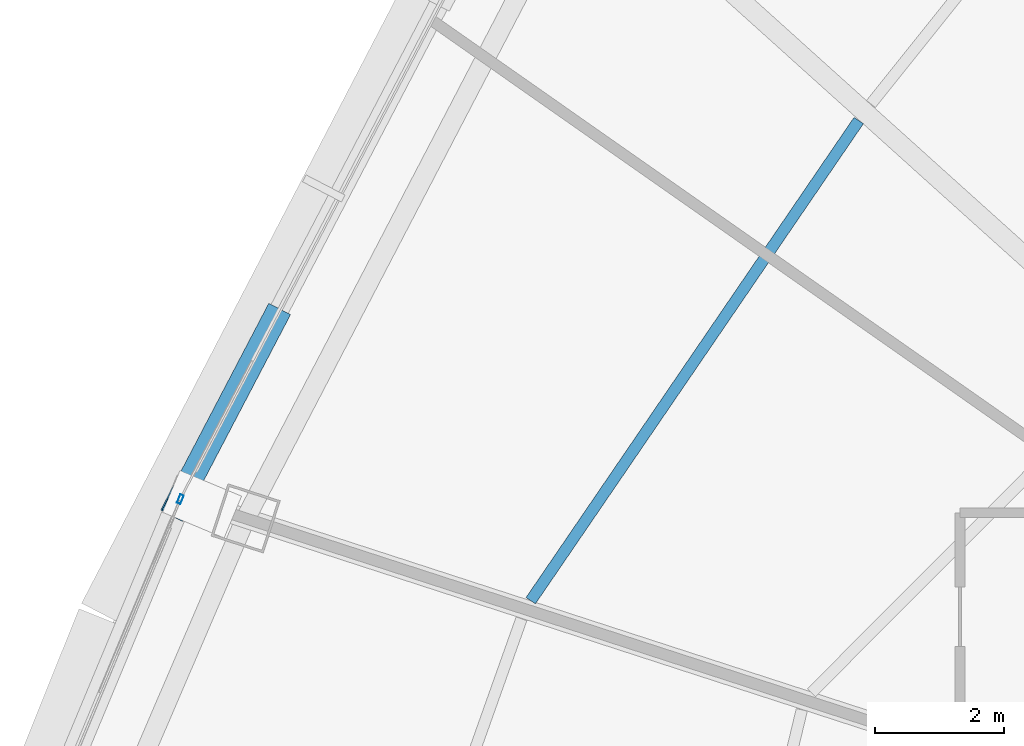
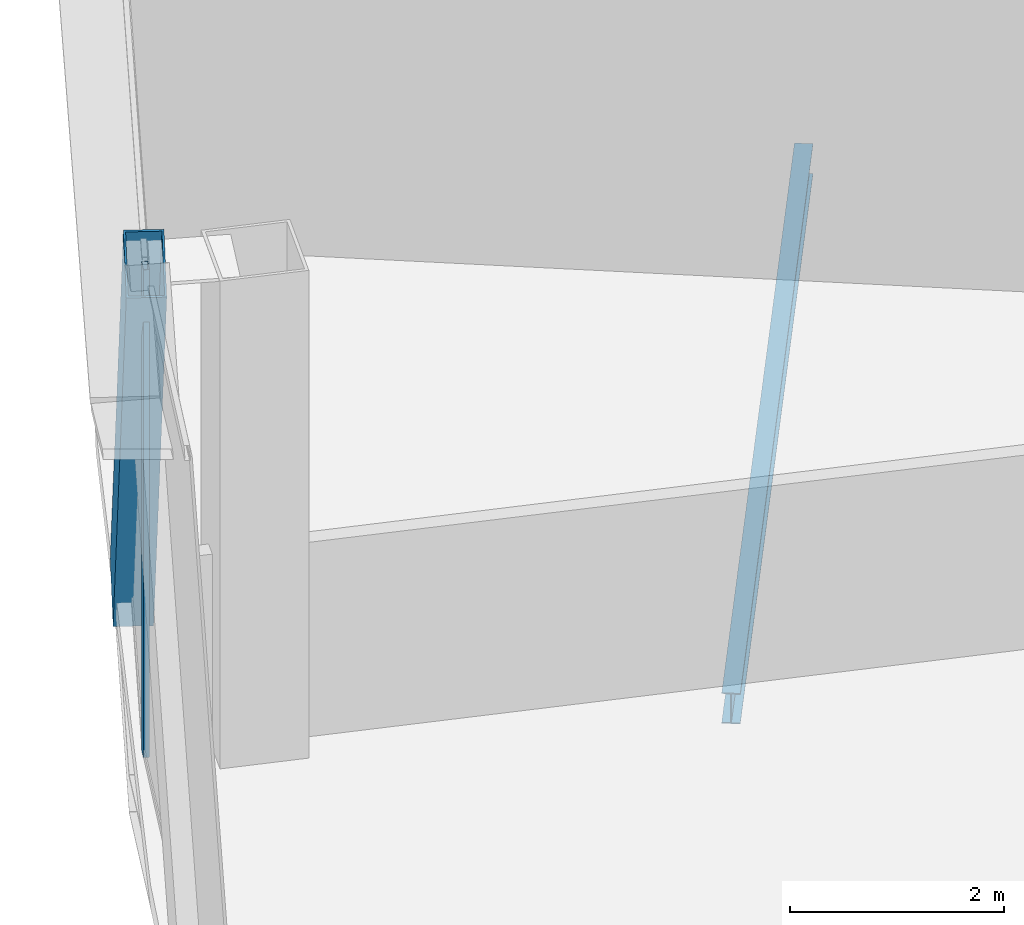
# One storey, part 8 of 38: 2 members, 1 beam, 1 element without a shape of its own.
"""IFC4 building model written with IfcOpenShell, lengths in metres."""

from ifc_helpers import new_model, si_unit, direction, frame, origin, origin_2d, place, context, subcontext, project, spatial, hollow_rectangle, i_section, extrude, source, transform, mapped, material, layer, layer_set, material_profile, profile_set, type_object, element, aggregate, save


model = new_model("IFC4")

# Units and contexts
model_context = context("Model", 3, precision=1e-05, world=origin(), true_north=direction((0.0, 1.0)))
body_context = subcontext(model_context, "Body", "Model", "MODEL_VIEW")
ifc_project = project(units=[si_unit("LENGTHUNIT", "METRE"), si_unit("AREAUNIT", "SQUARE_METRE"), si_unit("VOLUMEUNIT", "CUBIC_METRE"), si_unit("PLANEANGLEUNIT", "RADIAN"), si_unit("MASSUNIT", "GRAM", prefix="KILO"), si_unit("THERMODYNAMICTEMPERATUREUNIT", "KELVIN"), si_unit("POWERUNIT", "WATT")], contexts=[model_context])

# Site, building, storey
site_placement = place(None, origin())
site = spatial("IfcSite", under=ifc_project, at=site_placement, CompositionType="ELEMENT")
building_placement = place(site_placement, origin())
building = spatial("IfcBuilding", under=site, at=building_placement, Name="Yunzhuo Pagoda Commons", CompositionType="ELEMENT")
storey_placement = place(building_placement, frame((0.0, 0.0, 266.909912109375)))
storey = spatial("IfcBuildingStorey", under=building, at=storey_placement, Name="L67", CompositionType="ELEMENT", Elevation=266.909912109375)

# Beam
ifc_material_1 = material(Name="Structural steel Q355B", Category="steel")
ifc_material_profile_1 = material_profile(ifc_material_1, i_section(OverallWidth=0.175048828125, OverallDepth=0.35009765625, WebThickness=0.007080078125, FlangeThickness=0.010986328125, at=origin_2d()), Name="Structural steel Q355B")
ifc_profile_set_1 = profile_set([ifc_material_profile_1], Name="Structural steel Q355B")
beam_type = type_object("IfcBeamType", Name="B-JS2 Joist HN 350x175x7x11", PredefinedType="JOIST", material=ifc_profile_set_1)
shared_shape_1 = source(origin(), body_context, "Body", "SweptSolid", [
    extrude(i_section(OverallWidth=0.175048828125, OverallDepth=0.35009765625, WebThickness=0.007080078125, FlangeThickness=0.010986328125, at=origin_2d()), origin(), (0.0, 0.0, 1.0), 8.99365234375),
])
beam_placement = place(storey_placement, frame((31.583984375, 48.268798828125, -0.434814453125), z_axis=(-0.564098900337, -0.825707230584, 0.0), x_axis=(0.825707230584, -0.564098900337, 0.0)))
element("IfcBeam", 1, at=beam_placement, inside=storey, type_object=beam_type, Name="L67 composite ring joist 2.10", PredefinedType="JOIST", context=body_context, shape_type="MappedRepresentation", body=[
    mapped(shared_shape_1, transform((0.0, 0.0, 0.0), scale=1.0)),
])

# Member
ifc_material_profile_2 = material_profile(ifc_material_1, hollow_rectangle(XDim=0.3798828125, YDim=0.719970703125, WallThickness=0.02001953125, at=origin_2d()), Name="Structural steel Q355B")
ifc_profile_set_2 = profile_set([ifc_material_profile_2], Name="Structural steel Q355B")
member_type_1 = type_object("IfcMemberType", Name="M-DL3 Brace BOX 720x380x20", PredefinedType="BRACE", material=ifc_profile_set_2)
shared_shape_2 = source(origin(), body_context, "Body", "SweptSolid", [
    extrude(hollow_rectangle(XDim=0.3798828125, YDim=0.719970703125, WallThickness=0.02001953125, at=origin_2d()), origin(), (0.0, 0.0, 1.0), 6.542724609375),
])
member_1_placement = place(storey_placement, frame((22.47900390625, 45.070068359375, -0.260009765625), z_axis=(-0.210344818524, -0.402069437573, 0.891120207766), x_axis=(0.886069633298, -0.463552159898, 0.0)))
element("IfcMember", 2, at=member_1_placement, inside=storey, type_object=member_type_1, Name="L67 facade diamond brace F3.2R", PredefinedType="BRACE", context=body_context, shape_type="MappedRepresentation", body=[
    mapped(shared_shape_2, transform((0.0, 0.0, 0.0), scale=1.0)),
])

# Curtain wall, member
ifc_material_2 = material(Name="Anodized aluminium 6063-T6", Category="aluminium")
ifc_layer = layer(ifc_material_2, 0.139892578125)
ifc_layer_set = layer_set([ifc_layer], Name="Anodized aluminium 6063-T6")
curtain_wall_type = type_object("IfcCurtainWallType", Name="CW-HI High-Zone Ribbon Curtain Wall", PredefinedType="NOTDEFINED", material=ifc_layer_set)
curtain_wall_placement = place(storey_placement, origin())
curtain_wall = element("IfcCurtainWall", 3, at=curtain_wall_placement, inside=storey, type_object=curtain_wall_type, Name="L67 curtain wall CW-L67-F3B4", PredefinedType="NOTDEFINED")
ifc_material_profile_3 = material_profile(ifc_material_2, hollow_rectangle(XDim=0.06005859375, YDim=0.139892578125, WallThickness=0.00341796875, at=origin_2d()), Name="Anodized aluminium 6063-T6")
ifc_profile_set_3 = profile_set([ifc_material_profile_3], Name="Anodized aluminium 6063-T6")
member_type_2 = type_object("IfcMemberType", Name="CW-HI-M Mullion RHS 140x60x3.5", PredefinedType="MULLION", material=ifc_profile_set_3)
shared_shape_3 = source(origin(), body_context, "Body", "SweptSolid", [
    extrude(hollow_rectangle(XDim=0.06005859375, YDim=0.139892578125, WallThickness=0.00341796875, at=origin_2d()), origin(), (0.0, 0.0, 1.0), 5.5703125),
])
member_2_placement = place(storey_placement, frame((21.09130859375, 42.41162109375, 0.0), z_axis=(0.0, 0.0, 1.0), x_axis=(0.922909845486, -0.385016125772, 0.0)))
member_2 = element("IfcMember", 4, at=member_2_placement, type_object=member_type_2, Name="CW mullion 1", PredefinedType="MULLION", context=body_context, shape_type="MappedRepresentation", body=[
    mapped(shared_shape_3, transform((0.0, 0.0, 0.0), scale=1.0)),
])
aggregate(curtain_wall, [member_2])

save(model, "model.ifc")
